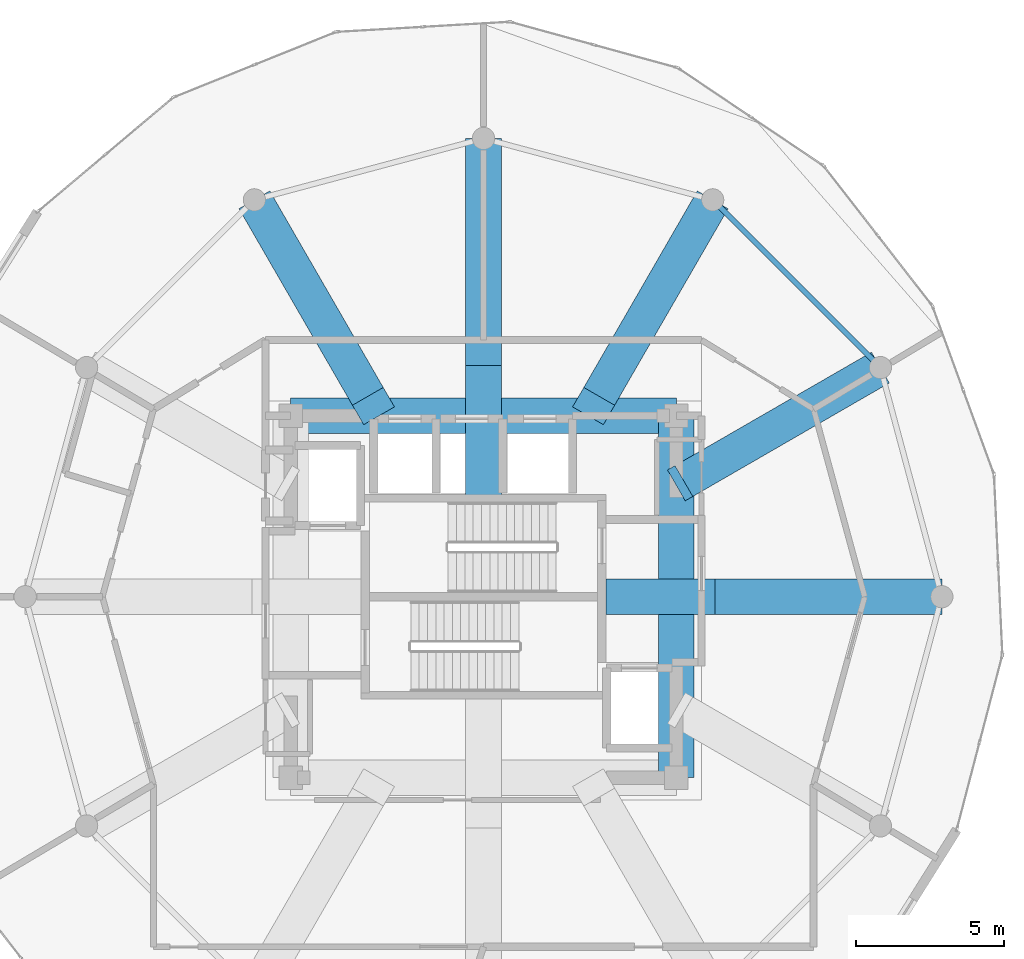
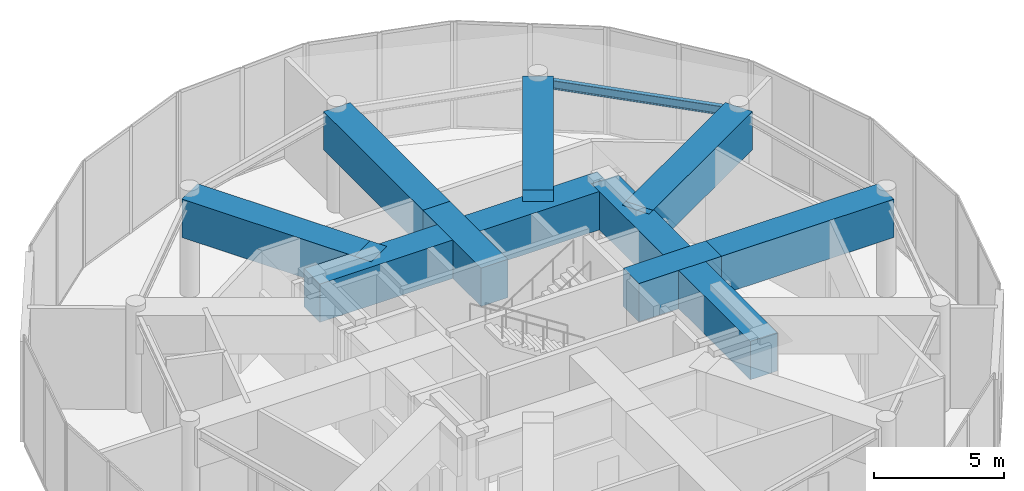
# One storey, part 11 of 20: 13 beams.
"""IFC4 building model written with IfcOpenShell, lengths in metres."""

from ifc_helpers import new_model, si_unit, direction, frame, origin, origin_2d, place, context, subcontext, project, spatial, rectangle, i_section, extrude, material, material_profile, profile_set, type_object, element, save


model = new_model("IFC4")

# Units and contexts
model_context = context("Model", 3, precision=1e-05, world=origin(), true_north=direction((0.0, 1.0)))
body_context = subcontext(model_context, "Body", "Model", "MODEL_VIEW")
ifc_project = project(units=[si_unit("LENGTHUNIT", "METRE"), si_unit("AREAUNIT", "SQUARE_METRE"), si_unit("VOLUMEUNIT", "CUBIC_METRE"), si_unit("PLANEANGLEUNIT", "RADIAN"), si_unit("MASSUNIT", "GRAM", prefix="KILO")], contexts=[model_context])

# Site, building, storey
site_placement = place(None, origin())
site = spatial("IfcSite", under=ifc_project, at=site_placement, CompositionType="ELEMENT")
building_placement = place(site_placement, origin())
building = spatial("IfcBuilding", under=site, at=building_placement, Name="Solvirekh Grand Hotel", CompositionType="ELEMENT")
storey_placement = place(building_placement, frame((0.0, 0.0, 297.199951171875)))
storey = spatial("IfcBuildingStorey", under=building, at=storey_placement, Name="L77", CompositionType="ELEMENT", Elevation=297.199951171875)

# Beams
ifc_material_1 = material(Name="Steel S355", Category="steel")
ifc_material_profile_1 = material_profile(ifc_material_1, i_section(OverallWidth=0.180908203125, OverallDepth=0.4169921875, WebThickness=0.010009765625, FlangeThickness=0.01611328125, FilletRadius=0.011962890625, at=origin_2d()), Name="W410X85")
ifc_profile_set_1 = profile_set([ifc_material_profile_1], Name="Steel S355")
beam_type_1 = type_object("IfcBeamType", Name="Spandrel_Ring_W410", PredefinedType="SPANDREL", material=ifc_profile_set_1)
beam_1_placement = place(storey_placement, frame((13.3798828125, 7.72509765625, 4.470947265625), z_axis=(-0.707106781187, 0.707106781187, 0.0), x_axis=(-0.707106781187, -0.707106781187, 0.0)))
element("IfcBeam", 1, at=beam_1_placement, inside=storey, type_object=beam_type_1, Name="L77 perimeter spandrel beam 2", PredefinedType="SPANDREL", context=body_context, shape_type="SweptSolid", body=[
    extrude(i_section(OverallWidth=0.180908203125, OverallDepth=0.4169921875, WebThickness=0.010009765625, FlangeThickness=0.01611328125, FilletRadius=0.011962890625, at=origin_2d()), origin(), (0.0, 0.0, 1.0), 7.9970703125),
])
ifc_material_2 = material(Name="Concrete C60/75", Category="concrete")
ifc_material_profile_2 = material_profile(ifc_material_2, rectangle(XDim=1.199951171875, YDim=1.800048828125, at=origin_2d()), Name="RC GIRDER 1200X1800")
ifc_profile_set_2 = profile_set([ifc_material_profile_2], Name="Concrete C60/75")
beam_type_2 = type_object("IfcBeamType", Name="TransferGirder_RC1800", PredefinedType="USERDEFINED", material=ifc_profile_set_2)
beam_2_placement = place(storey_placement, frame((6.5, -6.10009765625, 3.820068359375), z_axis=(0.0, 1.0, 0.0), x_axis=(-1.0, 0.0, 0.0)))
element("IfcBeam", 2, at=beam_2_placement, inside=storey, type_object=beam_type_2, Name="L77 core coupling ring beam 2", ObjectType="TRANSFER GIRDER", PredefinedType="USERDEFINED", context=body_context, shape_type="SweptSolid", body=[
    extrude(rectangle(XDim=1.199951171875, YDim=1.800048828125, at=origin_2d()), origin(), (0.0, 0.0, 1.0), 12.2001953125),
])
beam_3_placement = place(storey_placement, frame((6.5, 6.10009765625, 3.820068359375), z_axis=(-1.0, 0.0, 0.0), x_axis=(0.0, -1.0, 0.0)))
element("IfcBeam", 3, at=beam_3_placement, inside=storey, type_object=beam_type_2, Name="L77 core coupling ring beam 3", ObjectType="TRANSFER GIRDER", PredefinedType="USERDEFINED", context=body_context, shape_type="SweptSolid", body=[
    extrude(rectangle(XDim=1.199951171875, YDim=1.800048828125, at=origin_2d()), origin(), (0.0, 0.0, 1.0), 13.0),
])
beam_4_placement = place(storey_placement, frame((4.1298828125, 0.0, 3.820068359375), z_axis=(1.0, 0.0, 0.0), x_axis=(0.0, 1.0, 0.0)))
element("IfcBeam", 4, at=beam_4_placement, inside=storey, type_object=beam_type_2, Name="L77 inner radial transfer girder 1A", ObjectType="TRANSFER GIRDER", PredefinedType="USERDEFINED", context=body_context, shape_type="SweptSolid", body=[
    extrude(rectangle(XDim=1.199951171875, YDim=1.800048828125, at=origin_2d()), origin(), (0.0, 0.0, 1.0), 3.670166015625),
])
beam_5_placement = place(storey_placement, frame((7.800048828125, 0.0, 3.820068359375), z_axis=(1.0, 0.0, 0.0), x_axis=(0.0, 1.0, 0.0)))
element("IfcBeam", 5, at=beam_5_placement, inside=storey, type_object=beam_type_2, Name="L77 outer radial transfer girder 1B", ObjectType="TRANSFER GIRDER", PredefinedType="USERDEFINED", context=body_context, shape_type="SweptSolid", body=[
    extrude(rectangle(XDim=1.199951171875, YDim=1.800048828125, at=origin_2d()), origin(), (0.0, 0.0, 1.0), 7.64990234375),
])
beam_6_placement = place(storey_placement, frame((6.5, 3.7529296875, 3.820068359375), z_axis=(0.866296080141, 0.49953088146, 0.0), x_axis=(-0.49953088146, 0.866296080141, 0.0)))
element("IfcBeam", 6, at=beam_6_placement, inside=storey, type_object=beam_type_2, Name="L77 inner radial transfer girder 2A", ObjectType="TRANSFER GIRDER", PredefinedType="USERDEFINED", context=body_context, shape_type="SweptSolid", body=[
    extrude(rectangle(XDim=1.199951171875, YDim=1.800048828125, at=origin_2d()), origin(), (0.0, 0.0, 1.0), 0.294189453125),
])
beam_7_placement = place(storey_placement, frame((6.7548828125, 3.89990234375, 3.820068359375), z_axis=(0.866011265228, 0.500024487898, 0.0), x_axis=(-0.500024487898, 0.866011265228, 0.0)))
element("IfcBeam", 7, at=beam_7_placement, inside=storey, type_object=beam_type_2, Name="L77 outer radial transfer girder 2B", ObjectType="TRANSFER GIRDER", PredefinedType="USERDEFINED", context=body_context, shape_type="SweptSolid", body=[
    extrude(rectangle(XDim=1.199951171875, YDim=1.800048828125, at=origin_2d()), origin(), (0.0, 0.0, 1.0), 7.64990234375),
])
beam_8_placement = place(storey_placement, frame((3.52197265625, 6.10009765625, 3.820068359375), z_axis=(0.499890179513, 0.866088799389, 0.0), x_axis=(-0.866088799389, 0.499890179513, 0.0)))
element("IfcBeam", 8, at=beam_8_placement, inside=storey, type_object=beam_type_2, Name="L77 inner radial transfer girder 3A", ObjectType="TRANSFER GIRDER", PredefinedType="USERDEFINED", context=body_context, shape_type="SweptSolid", body=[
    extrude(rectangle(XDim=1.199951171875, YDim=1.800048828125, at=origin_2d()), origin(), (0.0, 0.0, 1.0), 0.756103515625),
])
beam_9_placement = place(storey_placement, frame((3.89990234375, 6.7548828125, 3.820068359375), z_axis=(0.500024487898, 0.866011265228, 0.0), x_axis=(-0.866011265228, 0.500024487898, 0.0)))
element("IfcBeam", 9, at=beam_9_placement, inside=storey, type_object=beam_type_2, Name="L77 outer radial transfer girder 3B", ObjectType="TRANSFER GIRDER", PredefinedType="USERDEFINED", context=body_context, shape_type="SweptSolid", body=[
    extrude(rectangle(XDim=1.199951171875, YDim=1.800048828125, at=origin_2d()), origin(), (0.0, 0.0, 1.0), 7.64990234375),
])
beam_10_placement = place(storey_placement, frame((0.0, 3.324951171875, 3.820068359375), z_axis=(0.0, 1.0, 0.0), x_axis=(-1.0, 0.0, 0.0)))
element("IfcBeam", 10, at=beam_10_placement, inside=storey, type_object=beam_type_2, Name="L77 inner radial transfer girder 4A", ObjectType="TRANSFER GIRDER", PredefinedType="USERDEFINED", context=body_context, shape_type="SweptSolid", body=[
    extrude(rectangle(XDim=1.199951171875, YDim=1.800048828125, at=origin_2d()), origin(), (0.0, 0.0, 1.0), 4.47509765625),
])
beam_11_placement = place(storey_placement, frame((0.0, 7.800048828125, 3.820068359375), z_axis=(0.0, 1.0, 0.0), x_axis=(-1.0, 0.0, 0.0)))
element("IfcBeam", 11, at=beam_11_placement, inside=storey, type_object=beam_type_2, Name="L77 outer radial transfer girder 4B", ObjectType="TRANSFER GIRDER", PredefinedType="USERDEFINED", context=body_context, shape_type="SweptSolid", body=[
    extrude(rectangle(XDim=1.199951171875, YDim=1.800048828125, at=origin_2d()), origin(), (0.0, 0.0, 1.0), 7.64990234375),
])
beam_12_placement = place(storey_placement, frame((-3.52197265625, 6.10009765625, 3.820068359375), z_axis=(-0.499890179513, 0.866088799389, 0.0), x_axis=(-0.866088799389, -0.499890179513, 0.0)))
element("IfcBeam", 12, at=beam_12_placement, inside=storey, type_object=beam_type_2, Name="L77 inner radial transfer girder 5A", ObjectType="TRANSFER GIRDER", PredefinedType="USERDEFINED", context=body_context, shape_type="SweptSolid", body=[
    extrude(rectangle(XDim=1.199951171875, YDim=1.800048828125, at=origin_2d()), origin(), (0.0, 0.0, 1.0), 0.756103515625),
])
beam_13_placement = place(storey_placement, frame((-3.89990234375, 6.7548828125, 3.820068359375), z_axis=(-0.500024487898, 0.866011265228, 0.0), x_axis=(-0.866011265228, -0.500024487898, 0.0)))
element("IfcBeam", 13, at=beam_13_placement, inside=storey, type_object=beam_type_2, Name="L77 outer radial transfer girder 5B", ObjectType="TRANSFER GIRDER", PredefinedType="USERDEFINED", context=body_context, shape_type="SweptSolid", body=[
    extrude(rectangle(XDim=1.199951171875, YDim=1.800048828125, at=origin_2d()), origin(), (0.0, 0.0, 1.0), 7.64990234375),
])

save(model, "model.ifc")
